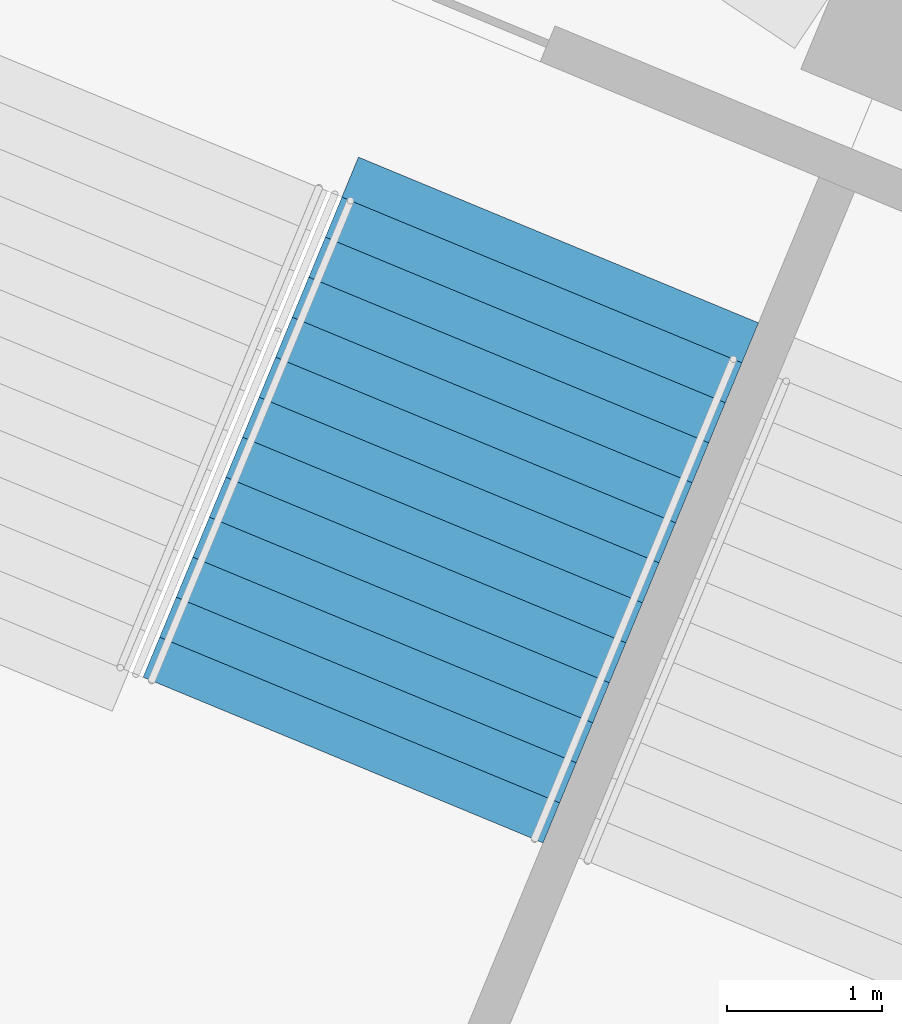
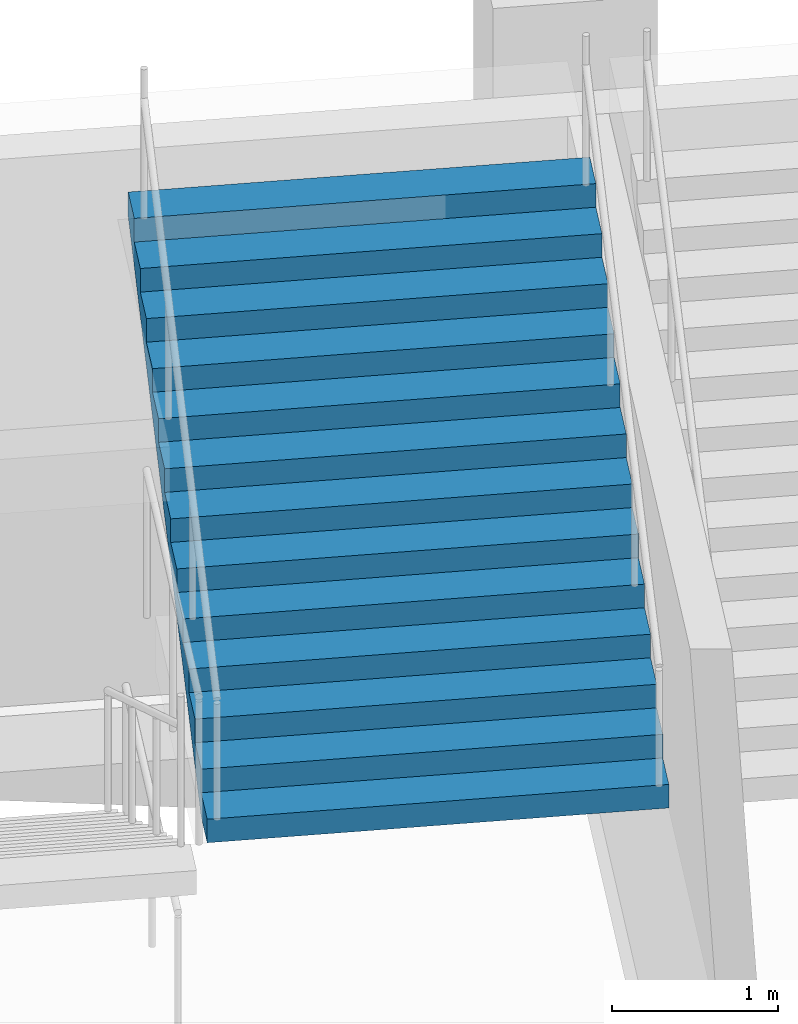
# One storey, part 88 of 177: 1 stair flight, 1 element without a shape of its own.
"""IFC4 building model written with IfcOpenShell, lengths in metres."""

from ifc_helpers import new_model, si_unit, direction, frame, origin, place, context, subcontext, project, spatial, faceted_brep, material, type_object, element, aggregate, save


model = new_model("IFC4")

# Units and contexts
model_context = context("Model", 3, precision=1e-05, world=origin(), true_north=direction((0.0, 1.0)))
body_context = subcontext(model_context, "Body", "Model", "MODEL_VIEW")
ifc_project = project(units=[si_unit("LENGTHUNIT", "METRE"), si_unit("AREAUNIT", "SQUARE_METRE"), si_unit("VOLUMEUNIT", "CUBIC_METRE"), si_unit("PLANEANGLEUNIT", "RADIAN"), si_unit("MASSUNIT", "GRAM", prefix="KILO")], contexts=[model_context])

# Site, building, storey
site_placement = place(None, origin())
site = spatial("IfcSite", under=ifc_project, at=site_placement, CompositionType="ELEMENT")
building_placement = place(site_placement, origin())
building = spatial("IfcBuilding", under=site, at=building_placement, Name="Ogive Plaza Stadium", CompositionType="ELEMENT")
storey_placement = place(building_placement, frame((0.0, 0.0, 18.0)))
storey = spatial("IfcBuildingStorey", under=building, at=storey_placement, Name="L04", CompositionType="ELEMENT", Elevation=18.0)

# Stair, stair flight
ifc_material_1 = material(Name="Concrete C40/50", Category="concrete")
stair_type = type_object("IfcStairType", Name="Exit stair", PredefinedType="STRAIGHT_RUN_STAIR", material=ifc_material_1)
stair_placement = place(storey_placement, origin())
stair = element("IfcStair", 1, at=stair_placement, inside=storey, type_object=stair_type, Name="Exit stair ST18A L04 to L05", PredefinedType="STRAIGHT_RUN_STAIR")
ifc_material_2 = material(Name="Concrete C40/50", Category="concrete")
stair_flight_type = type_object("IfcStairFlightType", Name="Exit stair flight", PredefinedType="STRAIGHT", material=ifc_material_2)
stair_flight_placement = place(storey_placement, frame((-52.9013671875, -94.14697265625, 2.25), z_axis=(0.0, 0.0, 1.0), x_axis=(0.382683432365, 0.923879532511, 0.0)))
stair_flight = element("IfcStairFlight", 2, at=stair_flight_placement, type_object=stair_flight_type, Name="ST18A flight 2", NumberOfRisers=13, NumberOfTreads=12, PredefinedType="STRAIGHT", RiserHeight=0.173076923, TreadLength=0.28, context=body_context, shape_type="Brep", body=[
    faceted_brep([(0.28515625, -1.39990234375, 0.0), (3.639892578125, -1.39990234375, 2.07373046875), (3.639892578125, -1.39990234375, 2.25), (3.360107421875, -1.39990234375, 2.25), (3.360107421875, -1.39990234375, 2.076904296875), (3.080078125, -1.39990234375, 2.076904296875), (3.080078125, -1.39990234375, 1.90380859375), (2.800048828125, -1.39990234375, 1.90380859375), (2.800048828125, -1.39990234375, 1.730712890625), (2.52001953125, -1.39990234375, 1.730712890625), (2.52001953125, -1.39990234375, 1.5576171875), (2.239990234375, -1.39990234375, 1.5576171875), (2.239990234375, -1.39990234375, 1.384521484375), (1.9599609375, -1.39990234375, 1.384521484375), (1.9599609375, -1.39990234375, 1.21142578125), (1.679931640625, -1.39990234375, 1.21142578125), (1.679931640625, -1.39990234375, 1.03857421875), (1.39990234375, -1.39990234375, 1.03857421875), (1.39990234375, -1.39990234375, 0.865478515625), (1.1201171875, -1.39990234375, 0.865478515625), (1.1201171875, -1.39990234375, 0.6923828125), (0.840087890625, -1.39990234375, 0.6923828125), (0.840087890625, -1.39990234375, 0.519287109375), (0.56005859375, -1.39990234375, 0.519287109375), (0.56005859375, -1.39990234375, 0.34619140625), (0.280029296875, -1.39990234375, 0.34619140625), (0.280029296875, -1.39990234375, 0.173095703125), (0.0, -1.39990234375, 0.173095703125), (0.0, -1.39990234375, 0.0), (0.0, 1.39990234375, 0.0), (0.0, 1.39990234375, 0.173095703125), (0.280029296875, 1.39990234375, 0.173095703125), (0.280029296875, 1.39990234375, 0.34619140625), (0.56005859375, 1.39990234375, 0.34619140625), (0.56005859375, 1.39990234375, 0.519287109375), (0.840087890625, 1.39990234375, 0.519287109375), (0.840087890625, 1.39990234375, 0.6923828125), (1.1201171875, 1.39990234375, 0.6923828125), (1.1201171875, 1.39990234375, 0.865478515625), (1.39990234375, 1.39990234375, 0.865478515625), (1.39990234375, 1.39990234375, 1.03857421875), (1.679931640625, 1.39990234375, 1.03857421875), (1.679931640625, 1.39990234375, 1.21142578125), (1.9599609375, 1.39990234375, 1.21142578125), (1.9599609375, 1.39990234375, 1.384521484375), (2.239990234375, 1.39990234375, 1.384521484375), (2.239990234375, 1.39990234375, 1.5576171875), (2.52001953125, 1.39990234375, 1.5576171875), (2.52001953125, 1.39990234375, 1.730712890625), (2.800048828125, 1.39990234375, 1.730712890625), (2.800048828125, 1.39990234375, 1.90380859375), (3.080078125, 1.39990234375, 1.90380859375), (3.080078125, 1.39990234375, 2.076904296875), (3.360107421875, 1.39990234375, 2.076904296875), (3.360107421875, 1.39990234375, 2.25), (3.639892578125, 1.39990234375, 2.25), (3.639892578125, 1.39990234375, 2.07373046875), (0.28515625, 1.39990234375, 0.0), (0.28515625, -1.0888671875, 0.0), (3.639892578125, -1.0888671875, 2.07373046875), (0.28515625, -0.77783203125, 0.0), (3.639892578125, -0.77783203125, 2.07373046875), (0.28515625, -0.466796875, 0.0), (3.639892578125, -0.466796875, 2.07373046875), (0.28515625, -0.155517578125, 0.0), (3.639892578125, -0.155517578125, 2.07373046875), (0.28515625, 0.155517578125, 0.0), (3.639892578125, 0.155517578125, 2.07373046875), (0.28515625, 0.466796875, 0.0), (3.639892578125, 0.466796875, 2.07373046875), (0.28515625, 0.77783203125, 0.0), (3.639892578125, 0.77783203125, 2.07373046875), (0.28515625, 1.0888671875, 0.0), (3.639892578125, 1.0888671875, 2.07373046875), (3.639892578125, -1.0888671875, 2.25), (3.639892578125, -0.77783203125, 2.25), (3.639892578125, -0.466796875, 2.25), (3.639892578125, -0.155517578125, 2.25), (3.639892578125, 0.155517578125, 2.25), (3.639892578125, 0.466796875, 2.25), (3.639892578125, 0.77783203125, 2.25), (3.639892578125, 1.0888671875, 2.25), (3.360107421875, -1.0888671875, 2.25), (3.360107421875, -0.77783203125, 2.25), (3.360107421875, -0.466796875, 2.25), (3.360107421875, -0.155517578125, 2.25), (3.360107421875, 0.155517578125, 2.25), (3.360107421875, 0.466796875, 2.25), (3.360107421875, 0.77783203125, 2.25), (3.360107421875, 1.0888671875, 2.25), (3.360107421875, -1.0888671875, 2.076904296875), (3.360107421875, -0.77783203125, 2.076904296875), (3.360107421875, -0.466796875, 2.076904296875), (3.360107421875, -0.155517578125, 2.076904296875), (3.360107421875, 0.155517578125, 2.076904296875), (3.360107421875, 0.466796875, 2.076904296875), (3.360107421875, 0.77783203125, 2.076904296875), (3.360107421875, 1.0888671875, 2.076904296875), (3.080078125, -1.0888671875, 2.076904296875), (3.080078125, -0.77783203125, 2.076904296875), (3.080078125, -0.466796875, 2.076904296875), (3.080078125, -0.155517578125, 2.076904296875), (3.080078125, 0.155517578125, 2.076904296875), (3.080078125, 0.466796875, 2.076904296875), (3.080078125, 0.77783203125, 2.076904296875), (3.080078125, 1.0888671875, 2.076904296875), (3.080078125, -1.0888671875, 1.90380859375), (3.080078125, -0.77783203125, 1.90380859375), (3.080078125, -0.466796875, 1.90380859375), (3.080078125, -0.155517578125, 1.90380859375), (3.080078125, 0.155517578125, 1.90380859375), (3.080078125, 0.466796875, 1.90380859375), (3.080078125, 0.77783203125, 1.90380859375), (3.080078125, 1.0888671875, 1.90380859375), (2.800048828125, -1.0888671875, 1.90380859375), (2.800048828125, -0.77783203125, 1.90380859375), (2.800048828125, -0.466796875, 1.90380859375), (2.800048828125, -0.155517578125, 1.90380859375), (2.800048828125, 0.155517578125, 1.90380859375), (2.800048828125, 0.466796875, 1.90380859375), (2.800048828125, 0.77783203125, 1.90380859375), (2.800048828125, 1.0888671875, 1.90380859375), (2.800048828125, -1.0888671875, 1.730712890625), (2.800048828125, -0.77783203125, 1.730712890625), (2.800048828125, -0.466796875, 1.730712890625), (2.800048828125, -0.155517578125, 1.730712890625), (2.800048828125, 0.155517578125, 1.730712890625), (2.800048828125, 0.466796875, 1.730712890625), (2.800048828125, 0.77783203125, 1.730712890625), (2.800048828125, 1.0888671875, 1.730712890625), (2.52001953125, -1.0888671875, 1.730712890625), (2.52001953125, -0.77783203125, 1.730712890625), (2.52001953125, -0.466796875, 1.730712890625), (2.52001953125, -0.155517578125, 1.730712890625), (2.52001953125, 0.155517578125, 1.730712890625), (2.52001953125, 0.466796875, 1.730712890625), (2.52001953125, 0.77783203125, 1.730712890625), (2.52001953125, 1.0888671875, 1.730712890625), (2.52001953125, -1.0888671875, 1.5576171875), (2.52001953125, -0.77783203125, 1.5576171875), (2.52001953125, -0.466796875, 1.5576171875), (2.52001953125, -0.155517578125, 1.5576171875), (2.52001953125, 0.155517578125, 1.5576171875), (2.52001953125, 0.466796875, 1.5576171875), (2.52001953125, 0.77783203125, 1.5576171875), (2.52001953125, 1.0888671875, 1.5576171875), (2.239990234375, -1.0888671875, 1.5576171875), (2.239990234375, -0.77783203125, 1.5576171875), (2.239990234375, -0.466796875, 1.5576171875), (2.239990234375, -0.155517578125, 1.5576171875), (2.239990234375, 0.155517578125, 1.5576171875), (2.239990234375, 0.466796875, 1.5576171875), (2.239990234375, 0.77783203125, 1.5576171875), (2.239990234375, 1.0888671875, 1.5576171875), (2.239990234375, -1.0888671875, 1.384521484375), (2.239990234375, -0.77783203125, 1.384521484375), (2.239990234375, -0.466796875, 1.384521484375), (2.239990234375, -0.155517578125, 1.384521484375), (2.239990234375, 0.155517578125, 1.384521484375), (2.239990234375, 0.466796875, 1.384521484375), (2.239990234375, 0.77783203125, 1.384521484375), (2.239990234375, 1.0888671875, 1.384521484375), (1.9599609375, -1.0888671875, 1.384521484375), (1.9599609375, -0.77783203125, 1.384521484375), (1.9599609375, -0.466796875, 1.384521484375), (1.9599609375, -0.155517578125, 1.384521484375), (1.9599609375, 0.155517578125, 1.384521484375), (1.9599609375, 0.466796875, 1.384521484375), (1.9599609375, 0.77783203125, 1.384521484375), (1.9599609375, 1.0888671875, 1.384521484375), (1.9599609375, -1.0888671875, 1.21142578125), (1.9599609375, -0.77783203125, 1.21142578125), (1.9599609375, -0.466796875, 1.21142578125), (1.9599609375, -0.155517578125, 1.21142578125), (1.9599609375, 0.155517578125, 1.21142578125), (1.9599609375, 0.466796875, 1.21142578125), (1.9599609375, 0.77783203125, 1.21142578125), (1.9599609375, 1.0888671875, 1.21142578125), (1.679931640625, -1.0888671875, 1.21142578125), (1.679931640625, -0.77783203125, 1.21142578125), (1.679931640625, -0.466796875, 1.21142578125), (1.679931640625, -0.155517578125, 1.21142578125), (1.679931640625, 0.155517578125, 1.21142578125), (1.679931640625, 0.466796875, 1.21142578125), (1.679931640625, 0.77783203125, 1.21142578125), (1.679931640625, 1.0888671875, 1.21142578125), (1.679931640625, -1.0888671875, 1.03857421875), (1.679931640625, -0.77783203125, 1.03857421875), (1.679931640625, -0.466796875, 1.03857421875), (1.679931640625, -0.155517578125, 1.03857421875), (1.679931640625, 0.155517578125, 1.03857421875), (1.679931640625, 0.466796875, 1.03857421875), (1.679931640625, 0.77783203125, 1.03857421875), (1.679931640625, 1.0888671875, 1.03857421875), (1.39990234375, -1.0888671875, 1.03857421875), (1.39990234375, -0.77783203125, 1.03857421875), (1.39990234375, -0.466796875, 1.03857421875), (1.39990234375, -0.155517578125, 1.03857421875), (1.39990234375, 0.155517578125, 1.03857421875), (1.39990234375, 0.466796875, 1.03857421875), (1.39990234375, 0.77783203125, 1.03857421875), (1.39990234375, 1.0888671875, 1.03857421875), (1.39990234375, -1.0888671875, 0.865478515625), (1.39990234375, -0.77783203125, 0.865478515625), (1.39990234375, -0.466796875, 0.865478515625), (1.39990234375, -0.155517578125, 0.865478515625), (1.39990234375, 0.155517578125, 0.865478515625), (1.39990234375, 0.466796875, 0.865478515625), (1.39990234375, 0.77783203125, 0.865478515625), (1.39990234375, 1.0888671875, 0.865478515625), (1.1201171875, -1.0888671875, 0.865478515625), (1.1201171875, -0.77783203125, 0.865478515625), (1.1201171875, -0.466796875, 0.865478515625), (1.1201171875, -0.155517578125, 0.865478515625), (1.1201171875, 0.155517578125, 0.865478515625), (1.1201171875, 0.466796875, 0.865478515625), (1.1201171875, 0.77783203125, 0.865478515625), (1.1201171875, 1.0888671875, 0.865478515625), (1.1201171875, -1.0888671875, 0.6923828125), (1.1201171875, -0.77783203125, 0.6923828125), (1.1201171875, -0.466796875, 0.6923828125), (1.1201171875, -0.155517578125, 0.6923828125), (1.1201171875, 0.155517578125, 0.6923828125), (1.1201171875, 0.466796875, 0.6923828125), (1.1201171875, 0.77783203125, 0.6923828125), (1.1201171875, 1.0888671875, 0.6923828125), (0.840087890625, -1.0888671875, 0.6923828125), (0.840087890625, -0.77783203125, 0.6923828125), (0.840087890625, -0.466796875, 0.6923828125), (0.840087890625, -0.155517578125, 0.6923828125), (0.840087890625, 0.155517578125, 0.6923828125), (0.840087890625, 0.466796875, 0.6923828125), (0.840087890625, 0.77783203125, 0.6923828125), (0.840087890625, 1.0888671875, 0.6923828125), (0.840087890625, -1.0888671875, 0.519287109375), (0.840087890625, -0.77783203125, 0.519287109375), (0.840087890625, -0.466796875, 0.519287109375), (0.840087890625, -0.155517578125, 0.519287109375), (0.840087890625, 0.155517578125, 0.519287109375), (0.840087890625, 0.466796875, 0.519287109375), (0.840087890625, 0.77783203125, 0.519287109375), (0.840087890625, 1.0888671875, 0.519287109375), (0.56005859375, -1.0888671875, 0.519287109375), (0.56005859375, -0.77783203125, 0.519287109375), (0.56005859375, -0.466796875, 0.519287109375), (0.56005859375, -0.155517578125, 0.519287109375), (0.56005859375, 0.155517578125, 0.519287109375), (0.56005859375, 0.466796875, 0.519287109375), (0.56005859375, 0.77783203125, 0.519287109375), (0.56005859375, 1.0888671875, 0.519287109375), (0.56005859375, -1.0888671875, 0.34619140625), (0.56005859375, -0.77783203125, 0.34619140625), (0.56005859375, -0.466796875, 0.34619140625), (0.56005859375, -0.155517578125, 0.34619140625), (0.56005859375, 0.155517578125, 0.34619140625), (0.56005859375, 0.466796875, 0.34619140625), (0.56005859375, 0.77783203125, 0.34619140625), (0.56005859375, 1.0888671875, 0.34619140625), (0.280029296875, -1.0888671875, 0.34619140625), (0.280029296875, -0.77783203125, 0.34619140625), (0.280029296875, -0.466796875, 0.34619140625), (0.280029296875, -0.155517578125, 0.34619140625), (0.280029296875, 0.155517578125, 0.34619140625), (0.280029296875, 0.466796875, 0.34619140625), (0.280029296875, 0.77783203125, 0.34619140625), (0.280029296875, 1.0888671875, 0.34619140625), (0.280029296875, -1.0888671875, 0.173095703125), (0.280029296875, -0.77783203125, 0.173095703125), (0.280029296875, -0.466796875, 0.173095703125), (0.280029296875, -0.155517578125, 0.173095703125), (0.280029296875, 0.155517578125, 0.173095703125), (0.280029296875, 0.466796875, 0.173095703125), (0.280029296875, 0.77783203125, 0.173095703125), (0.280029296875, 1.0888671875, 0.173095703125), (0.0, -1.0888671875, 0.173095703125), (0.0, -0.77783203125, 0.173095703125), (0.0, -0.466796875, 0.173095703125), (0.0, -0.155517578125, 0.173095703125), (0.0, 0.155517578125, 0.173095703125), (0.0, 0.466796875, 0.173095703125), (0.0, 0.77783203125, 0.173095703125), (0.0, 1.0888671875, 0.173095703125), (0.0, -1.0888671875, 0.0), (0.0, -0.77783203125, 0.0), (0.0, -0.466796875, 0.0), (0.0, -0.155517578125, 0.0), (0.0, 0.155517578125, 0.0), (0.0, 0.466796875, 0.0), (0.0, 0.77783203125, 0.0), (0.0, 1.0888671875, 0.0)], [[[0, 1, 2, 3, 4, 5, 6, 7, 8, 9, 10, 11, 12, 13, 14, 15, 16, 17, 18, 19, 20, 21, 22, 23, 24, 25, 26, 27, 28]], [[29, 30, 31, 32, 33, 34, 35, 36, 37, 38, 39, 40, 41, 42, 43, 44, 45, 46, 47, 48, 49, 50, 51, 52, 53, 54, 55, 56, 57]], [[0, 58, 59, 1]], [[58, 60, 61, 59]], [[60, 62, 63, 61]], [[62, 64, 65, 63]], [[64, 66, 67, 65]], [[66, 68, 69, 67]], [[68, 70, 71, 69]], [[70, 72, 73, 71]], [[72, 57, 56, 73]], [[1, 59, 74, 2]], [[59, 61, 75, 74]], [[61, 63, 76, 75]], [[63, 65, 77, 76]], [[65, 67, 78, 77]], [[67, 69, 79, 78]], [[69, 71, 80, 79]], [[71, 73, 81, 80]], [[73, 56, 55, 81]], [[2, 74, 82, 3]], [[74, 75, 83, 82]], [[75, 76, 84, 83]], [[76, 77, 85, 84]], [[77, 78, 86, 85]], [[78, 79, 87, 86]], [[79, 80, 88, 87]], [[80, 81, 89, 88]], [[81, 55, 54, 89]], [[3, 82, 90, 4]], [[82, 83, 91, 90]], [[83, 84, 92, 91]], [[84, 85, 93, 92]], [[85, 86, 94, 93]], [[86, 87, 95, 94]], [[87, 88, 96, 95]], [[88, 89, 97, 96]], [[89, 54, 53, 97]], [[4, 90, 98, 5]], [[90, 91, 99, 98]], [[91, 92, 100, 99]], [[92, 93, 101, 100]], [[93, 94, 102, 101]], [[94, 95, 103, 102]], [[95, 96, 104, 103]], [[96, 97, 105, 104]], [[97, 53, 52, 105]], [[5, 98, 106, 6]], [[98, 99, 107, 106]], [[99, 100, 108, 107]], [[100, 101, 109, 108]], [[101, 102, 110, 109]], [[102, 103, 111, 110]], [[103, 104, 112, 111]], [[104, 105, 113, 112]], [[105, 52, 51, 113]], [[6, 106, 114, 7]], [[106, 107, 115, 114]], [[107, 108, 116, 115]], [[108, 109, 117, 116]], [[109, 110, 118, 117]], [[110, 111, 119, 118]], [[111, 112, 120, 119]], [[112, 113, 121, 120]], [[113, 51, 50, 121]], [[7, 114, 122, 8]], [[114, 115, 123, 122]], [[115, 116, 124, 123]], [[116, 117, 125, 124]], [[117, 118, 126, 125]], [[118, 119, 127, 126]], [[119, 120, 128, 127]], [[120, 121, 129, 128]], [[121, 50, 49, 129]], [[8, 122, 130, 9]], [[122, 123, 131, 130]], [[123, 124, 132, 131]], [[124, 125, 133, 132]], [[125, 126, 134, 133]], [[126, 127, 135, 134]], [[127, 128, 136, 135]], [[128, 129, 137, 136]], [[129, 49, 48, 137]], [[9, 130, 138, 10]], [[130, 131, 139, 138]], [[131, 132, 140, 139]], [[132, 133, 141, 140]], [[133, 134, 142, 141]], [[134, 135, 143, 142]], [[135, 136, 144, 143]], [[136, 137, 145, 144]], [[137, 48, 47, 145]], [[10, 138, 146, 11]], [[138, 139, 147, 146]], [[139, 140, 148, 147]], [[140, 141, 149, 148]], [[141, 142, 150, 149]], [[142, 143, 151, 150]], [[143, 144, 152, 151]], [[144, 145, 153, 152]], [[145, 47, 46, 153]], [[11, 146, 154, 12]], [[146, 147, 155, 154]], [[147, 148, 156, 155]], [[148, 149, 157, 156]], [[149, 150, 158, 157]], [[150, 151, 159, 158]], [[151, 152, 160, 159]], [[152, 153, 161, 160]], [[153, 46, 45, 161]], [[12, 154, 162, 13]], [[154, 155, 163, 162]], [[155, 156, 164, 163]], [[156, 157, 165, 164]], [[157, 158, 166, 165]], [[158, 159, 167, 166]], [[159, 160, 168, 167]], [[160, 161, 169, 168]], [[161, 45, 44, 169]], [[13, 162, 170, 14]], [[162, 163, 171, 170]], [[163, 164, 172, 171]], [[164, 165, 173, 172]], [[165, 166, 174, 173]], [[166, 167, 175, 174]], [[167, 168, 176, 175]], [[168, 169, 177, 176]], [[169, 44, 43, 177]], [[14, 170, 178, 15]], [[170, 171, 179, 178]], [[171, 172, 180, 179]], [[172, 173, 181, 180]], [[173, 174, 182, 181]], [[174, 175, 183, 182]], [[175, 176, 184, 183]], [[176, 177, 185, 184]], [[177, 43, 42, 185]], [[15, 178, 186, 16]], [[178, 179, 187, 186]], [[179, 180, 188, 187]], [[180, 181, 189, 188]], [[181, 182, 190, 189]], [[182, 183, 191, 190]], [[183, 184, 192, 191]], [[184, 185, 193, 192]], [[185, 42, 41, 193]], [[16, 186, 194, 17]], [[186, 187, 195, 194]], [[187, 188, 196, 195]], [[188, 189, 197, 196]], [[189, 190, 198, 197]], [[190, 191, 199, 198]], [[191, 192, 200, 199]], [[192, 193, 201, 200]], [[193, 41, 40, 201]], [[17, 194, 202, 18]], [[194, 195, 203, 202]], [[195, 196, 204, 203]], [[196, 197, 205, 204]], [[197, 198, 206, 205]], [[198, 199, 207, 206]], [[199, 200, 208, 207]], [[200, 201, 209, 208]], [[201, 40, 39, 209]], [[18, 202, 210, 19]], [[202, 203, 211, 210]], [[203, 204, 212, 211]], [[204, 205, 213, 212]], [[205, 206, 214, 213]], [[206, 207, 215, 214]], [[207, 208, 216, 215]], [[208, 209, 217, 216]], [[209, 39, 38, 217]], [[19, 210, 218, 20]], [[210, 211, 219, 218]], [[211, 212, 220, 219]], [[212, 213, 221, 220]], [[213, 214, 222, 221]], [[214, 215, 223, 222]], [[215, 216, 224, 223]], [[216, 217, 225, 224]], [[217, 38, 37, 225]], [[20, 218, 226, 21]], [[218, 219, 227, 226]], [[219, 220, 228, 227]], [[220, 221, 229, 228]], [[221, 222, 230, 229]], [[222, 223, 231, 230]], [[223, 224, 232, 231]], [[224, 225, 233, 232]], [[225, 37, 36, 233]], [[21, 226, 234, 22]], [[226, 227, 235, 234]], [[227, 228, 236, 235]], [[228, 229, 237, 236]], [[229, 230, 238, 237]], [[230, 231, 239, 238]], [[231, 232, 240, 239]], [[232, 233, 241, 240]], [[233, 36, 35, 241]], [[22, 234, 242, 23]], [[234, 235, 243, 242]], [[235, 236, 244, 243]], [[236, 237, 245, 244]], [[237, 238, 246, 245]], [[238, 239, 247, 246]], [[239, 240, 248, 247]], [[240, 241, 249, 248]], [[241, 35, 34, 249]], [[23, 242, 250, 24]], [[242, 243, 251, 250]], [[243, 244, 252, 251]], [[244, 245, 253, 252]], [[245, 246, 254, 253]], [[246, 247, 255, 254]], [[247, 248, 256, 255]], [[248, 249, 257, 256]], [[249, 34, 33, 257]], [[24, 250, 258, 25]], [[250, 251, 259, 258]], [[251, 252, 260, 259]], [[252, 253, 261, 260]], [[253, 254, 262, 261]], [[254, 255, 263, 262]], [[255, 256, 264, 263]], [[256, 257, 265, 264]], [[257, 33, 32, 265]], [[25, 258, 266, 26]], [[258, 259, 267, 266]], [[259, 260, 268, 267]], [[260, 261, 269, 268]], [[261, 262, 270, 269]], [[262, 263, 271, 270]], [[263, 264, 272, 271]], [[264, 265, 273, 272]], [[265, 32, 31, 273]], [[26, 266, 274, 27]], [[266, 267, 275, 274]], [[267, 268, 276, 275]], [[268, 269, 277, 276]], [[269, 270, 278, 277]], [[270, 271, 279, 278]], [[271, 272, 280, 279]], [[272, 273, 281, 280]], [[273, 31, 30, 281]], [[27, 274, 282, 28]], [[274, 275, 283, 282]], [[275, 276, 284, 283]], [[276, 277, 285, 284]], [[277, 278, 286, 285]], [[278, 279, 287, 286]], [[279, 280, 288, 287]], [[280, 281, 289, 288]], [[281, 30, 29, 289]], [[28, 282, 58, 0]], [[282, 283, 60, 58]], [[283, 284, 62, 60]], [[284, 285, 64, 62]], [[285, 286, 66, 64]], [[286, 287, 68, 66]], [[287, 288, 70, 68]], [[288, 289, 72, 70]], [[289, 29, 57, 72]]]),
])
aggregate(stair, [stair_flight])

save(model, "model.ifc")
